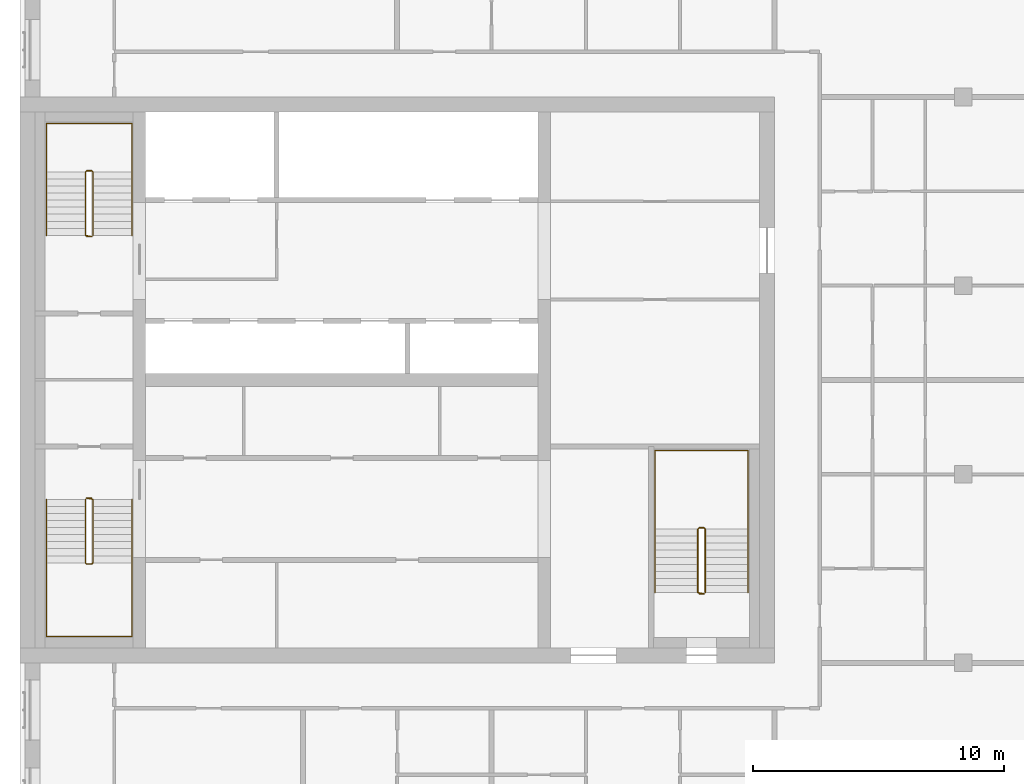
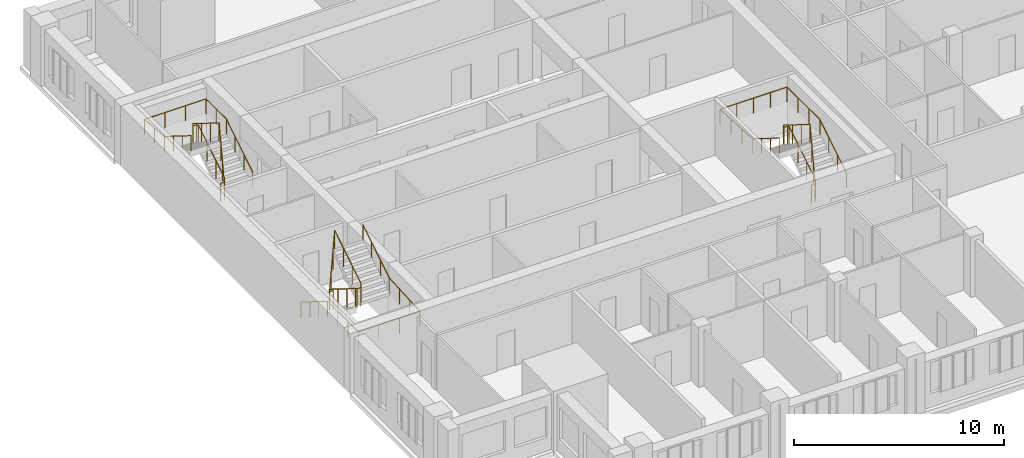
# One storey, part 10 of 10: 6 railings.
"""IFC4 building model written with IfcOpenShell, lengths in metres."""

import ifcopenshell
import ifcopenshell.guid

model = None  # the IFC model being written
_history = None  # IfcOwnerHistory: only IFC2X3 demands one
_inside = {}  # id of a spatial element -> (the spatial element, [elements in it])
_under = {}  # id of a project, library or spatial element -> (it, [spatial elements below it])
_declared = {}  # id of a project -> (the project, [libraries it declares])
_typed = {}  # id of a type object -> (the type object, [elements of that type])
_made_of = {}  # id of a material, layer set ... -> (it, [elements and type objects made of it])


def new_model(schema):
    """Start an empty IFC model of exactly this schema.

    Asked for "IFC4X3", IfcOpenShell would pick the latest addendum, in which some entities
    have other attributes; the version numbers below select the first issue.
    IFC2X3 requires an IfcOwnerHistory on every rooted entity: one is made here for all.
    """
    global model, _history
    if schema == "IFC4X3":
        model = ifcopenshell.file(schema_version=(4, 3, 0, 0))
    else:
        model = ifcopenshell.file(schema=schema)
    _inside.clear()
    _under.clear()
    _declared.clear()
    _typed.clear()
    _made_of.clear()
    _history = None
    if model.schema == "IFC2X3":
        org = make("IfcOrganization", Name="unknown")
        user = make(
            "IfcPersonAndOrganization",
            ThePerson=make("IfcPerson", FamilyName="unknown"),
            TheOrganization=org,
        )
        app = make(
            "IfcApplication",
            ApplicationDeveloper=org,
            Version="unknown",
            ApplicationFullName="unknown",
            ApplicationIdentifier="unknown",
        )
        _history = make(
            "IfcOwnerHistory",
            OwningUser=user,
            OwningApplication=app,
            ChangeAction="ADDED",
            CreationDate=0,
        )
    return model


def make(cls, **values):
    """One entity of the class cls with the attributes given. An attribute that is None is left unset."""
    return model.create_entity(
        cls, **{name: value for name, value in values.items() if value is not None}
    )


def rooted(cls, **values):
    """An entity with a GlobalId (a new one), such as an element, a storey or a relation."""
    return make(cls, GlobalId=ifcopenshell.guid.new(), OwnerHistory=_history, **values)


def si_unit(unit_type, name, prefix=None):
    """IfcSIUnit, for example si_unit("LENGTHUNIT", "METRE", prefix="MILLI")."""
    return make("IfcSIUnit", UnitType=unit_type, Prefix=prefix, Name=name)


def assignment(units):
    """IfcUnitAssignment: the units of a project."""
    return None if units is None else make("IfcUnitAssignment", Units=units)


def point(xyz):
    """IfcCartesianPoint."""
    return None if xyz is None else make("IfcCartesianPoint", Coordinates=xyz)


def direction(xyz):
    """IfcDirection."""
    return None if xyz is None else make("IfcDirection", DirectionRatios=xyz)


def frame(location, z_axis=None, x_axis=None):
    """IfcAxis2Placement3D, a coordinate frame: its origin and axes. An axis left out is left unset."""
    return make(
        "IfcAxis2Placement3D",
        Location=point(location),
        Axis=direction(z_axis),
        RefDirection=direction(x_axis),
    )


def frame_2d(location, x_axis=None):
    """IfcAxis2Placement2D, a coordinate frame in the plane: its origin and x axis."""
    return make(
        "IfcAxis2Placement2D", Location=point(location), RefDirection=direction(x_axis)
    )


def origin():
    """The frame at (0, 0, 0) with its axes left unset."""
    return frame((0.0, 0.0, 0.0))


def origin_2d():
    """The frame at (0, 0) in the plane with its x axis left unset."""
    return frame_2d((0.0, 0.0))


def place(relative_to, where):
    """IfcLocalPlacement: puts the frame where relative to a parent placement (None: the world)."""
    return make(
        "IfcLocalPlacement", PlacementRelTo=relative_to, RelativePlacement=where
    )


def context(
    kind, dimensions, precision=None, world=None, true_north=None, identifier=None
):
    """IfcGeometricRepresentationContext, for example the 3D "Model" context."""
    return make(
        "IfcGeometricRepresentationContext",
        ContextIdentifier=identifier,
        ContextType=kind,
        CoordinateSpaceDimension=dimensions,
        Precision=precision,
        WorldCoordinateSystem=world,
        TrueNorth=true_north,
    )


def subcontext(parent, identifier, kind, view, scale=None):
    """IfcGeometricRepresentationSubContext, for example "Body" below "Model"."""
    return make(
        "IfcGeometricRepresentationSubContext",
        ContextIdentifier=identifier,
        ContextType=kind,
        ParentContext=parent,
        TargetScale=scale,
        TargetView=view,
    )


def project(units=None, contexts=None):
    """IfcProject with its units and contexts."""
    return rooted(
        "IfcProject",
        Name="project",
        RepresentationContexts=contexts,
        UnitsInContext=assignment(units),
    )


def spatial(cls, under=None, at=None, **own):
    """A site, building, storey or space (cls), placed at a placement, below another one or the project."""
    s = rooted(cls, ObjectPlacement=at, **own)
    if under is not None:
        _under.setdefault(under.id(), (under, []))[1].append(s)
    return s


def profile(cls, at=None, kind="AREA", **sizes):
    """A parametric profile (cls). Its sizes go by their IFC names, for example OverallWidth=200.0."""
    return make(cls, ProfileType=kind, Position=at, **sizes)


def circle(**sizes):
    """IfcCircleProfileDef."""
    return profile("IfcCircleProfileDef", **sizes)


def extrude(swept, where, along, depth):
    """IfcExtrudedAreaSolid: the profile swept, set in the frame where, extruded along a direction by depth."""
    return make(
        "IfcExtrudedAreaSolid",
        SweptArea=swept,
        Position=where,
        ExtrudedDirection=direction(along),
        Depth=depth,
    )


def shape(context_of_items, identifier, shape_type, items):
    """IfcShapeRepresentation: the items that make up one representation, for example the "Body"."""
    return make(
        "IfcShapeRepresentation",
        ContextOfItems=context_of_items,
        RepresentationIdentifier=identifier,
        RepresentationType=shape_type,
        Items=items,
    )


def material(Name=None, Category=None):
    """IfcMaterial."""
    return make("IfcMaterial", Name=Name, Category=Category)


def made_of(thing, what):
    """Note that an element or type object is made of a material, layer set ...; save() writes the relation."""
    if what is not None:
        _made_of.setdefault(what.id(), (what, []))[1].append(thing)
    return thing


def type_object(cls, material=None, **own):
    """A type object (cls), such as IfcWallType, which elements share."""
    return made_of(rooted(cls, **own), material)


def element(
    cls,
    number,
    at=None,
    inside=None,
    cuts=None,
    type_object=None,
    material=None,
    context=None,
    identifier="Body",
    shape_type=None,
    held_by="IfcProductDefinitionShape",
    body=None,
    shapes=None,
    **own,
):
    """One element of the class cls, such as IfcWall. Its Tag is "e" and its number.

    at: its placement. inside: the storey or other place that contains it. cuts: it is an
    opening in that element (IfcRelVoidsElement). A single representation is given by context,
    identifier, shape_type and body (its items); several are given by shapes. held_by: the class
    of the entity that holds the representations. save() writes the other relations.
    """
    e = rooted(cls, Tag="e%d" % number, ObjectPlacement=at, **own)
    if body is not None:
        shapes = [shape(context, identifier, shape_type, body)]
    if shapes is not None:
        e.Representation = make(held_by, Representations=shapes)
    if inside is not None:
        _inside.setdefault(inside.id(), (inside, []))[1].append(e)
    if cuts is not None:
        rooted(
            "IfcRelVoidsElement", RelatingBuildingElement=cuts, RelatedOpeningElement=e
        )
    if type_object is not None:
        _typed.setdefault(type_object.id(), (type_object, []))[1].append(e)
    return made_of(e, material)


def aggregate(whole, parts):
    """IfcRelAggregates: a whole, such as a stair, and the parts it consists of."""
    return rooted("IfcRelAggregates", RelatingObject=whole, RelatedObjects=parts)


def save(model, path):
    """Write the relations noted so far, then the file.

    IfcRelAggregates (storeys below a building ...), IfcRelContainedInSpatialStructure (elements
    in a storey), IfcRelDefinesByType, IfcRelAssociatesMaterial and IfcRelDeclares: one each for
    every whole, place, type object, material and project.
    """
    for whole, parts in _under.values():
        aggregate(whole, parts)
    for where, things in _inside.values():
        rooted(
            "IfcRelContainedInSpatialStructure",
            RelatedElements=things,
            RelatingStructure=where,
        )
    for kind, things in _typed.values():
        rooted("IfcRelDefinesByType", RelatedObjects=things, RelatingType=kind)
    for what, things in _made_of.values():
        rooted("IfcRelAssociatesMaterial", RelatedObjects=things, RelatingMaterial=what)
    for by, libraries in _declared.values():
        rooted("IfcRelDeclares", RelatingContext=by, RelatedDefinitions=libraries)
    model.write(path)


model = new_model("IFC4")

# Units and contexts
model_context = context("Model", 3, precision=1e-05, world=origin(), true_north=direction((0.0, 1.0)))
body_context = subcontext(model_context, "Body", "Model", "MODEL_VIEW")
ifc_project = project(units=[si_unit("LENGTHUNIT", "METRE"), si_unit("AREAUNIT", "SQUARE_METRE"), si_unit("VOLUMEUNIT", "CUBIC_METRE"), si_unit("PLANEANGLEUNIT", "RADIAN"), si_unit("MASSUNIT", "GRAM", prefix="KILO")], contexts=[model_context])

# Site, building, storey
site_placement = place(None, origin())
site = spatial("IfcSite", under=ifc_project, at=site_placement, CompositionType="ELEMENT")
building_placement = place(site_placement, origin())
building = spatial("IfcBuilding", under=site, at=building_placement, Name="Tamorin Gate", CompositionType="ELEMENT")
storey_placement = place(building_placement, frame((0.0, 0.0, 280.199951171875)))
storey = spatial("IfcBuildingStorey", under=building, at=storey_placement, Name="L70", CompositionType="ELEMENT", Elevation=280.199951171875)

# Railings
ifc_material_1 = material(Name="Painted steel balustrade", Category="steel")
railing_type_1 = type_object("IfcRailingType", Name="Stair guard 1100", PredefinedType="GUARDRAIL", material=ifc_material_1)
railing_1_placement = place(storey_placement, frame((32.60009765625, 66.5, 0.175048828125)))
element("IfcRailing", 1, at=railing_1_placement, inside=storey, type_object=railing_type_1, Name="L70 ST1 stair guard 1", PredefinedType="GUARDRAIL", context=body_context, shape_type="SweptSolid", body=[
    extrude(circle(Radius=0.02392578125, at=origin_2d()), frame((0.0, 0.0, 1.076171875), z_axis=(0.0, -0.848007534815, 0.529984170421), x_axis=(1.0, 0.0, 0.0)), (0.0, 0.0, 1.0), 2.9716796875),
    extrude(circle(Radius=0.02392578125, at=origin_2d()), frame((0.0, -2.52001953125, 2.65087890625), z_axis=(0.705375805398, -0.708833529934, 0.0), x_axis=(0.708833529934, 0.705375805398, 0.0)), (0.0, 0.0, 1.0), 0.070556640625),
    extrude(circle(Radius=0.02392578125, at=origin_2d()), frame((0.0498046875, -2.570068359375, 2.65087890625), z_axis=(1.0, 0.0, 0.0), x_axis=(0.0, 1.0, 0.0)), (0.0, 0.0, 1.0), 0.2001953125),
    extrude(circle(Radius=0.02392578125, at=origin_2d()), frame((0.25, -2.570068359375, 2.65087890625), z_axis=(0.263862480399, 0.265155923931, 0.927399011991), x_axis=(-0.708833529934, 0.705375805398, 0.0)), (0.0, 0.0, 1.0), 0.188720703125),
    extrude(circle(Radius=0.02392578125, at=origin_2d()), frame((0.2998046875, -2.52001953125, 2.826171875), z_axis=(0.0, 0.848007534815, 0.529984170421), x_axis=(-1.0, 0.0, 0.0)), (0.0, 0.0, 1.0), 2.9716796875),
    extrude(circle(Radius=0.02392578125, at=origin_2d()), frame((0.2998046875, 0.0, 4.40087890625), z_axis=(-0.071239803756, 0.014261874775, -0.997357252587), x_axis=(-0.196300278283, -0.98054382908, 0.0)), (0.0, 0.0, 1.0), 3.50927734375),
    extrude(circle(Radius=0.02392578125, at=origin_2d()), frame((0.0498046875, 0.050048828125, 0.90087890625), z_axis=(1.0, 0.0, 0.0), x_axis=(0.0, 1.0, 0.0)), (0.0, 0.0, 1.0), 0.2001953125),
    extrude(circle(Radius=0.02099609375, at=origin_2d()), origin(), (0.0, 0.0, 1.0), 1.052001953125),
    extrude(circle(Radius=0.02099609375, at=origin_2d()), frame((0.0, -0.840087890625, 0.52490234375)), (0.0, 0.0, 1.0), 1.052001953125),
    extrude(circle(Radius=0.02099609375, at=origin_2d()), frame((0.0, -1.679931640625, 1.050048828125)), (0.0, 0.0, 1.0), 1.052001953125),
    extrude(circle(Radius=0.02099609375, at=origin_2d()), frame((0.0, -2.52001953125, 1.574951171875)), (0.0, 0.0, 1.0), 1.052001953125),
    extrude(circle(Radius=0.02099609375, at=origin_2d()), frame((0.0498046875, -2.570068359375, 1.574951171875)), (0.0, 0.0, 1.0), 1.052001953125),
    extrude(circle(Radius=0.02099609375, at=origin_2d()), frame((0.25, -2.570068359375, 1.574951171875)), (0.0, 0.0, 1.0), 1.052001953125),
    extrude(circle(Radius=0.02099609375, at=origin_2d()), frame((0.2998046875, -2.52001953125, 1.75)), (0.0, 0.0, 1.0), 1.052001953125),
    extrude(circle(Radius=0.02099609375, at=origin_2d()), frame((0.2998046875, -1.679931640625, 2.27490234375)), (0.0, 0.0, 1.0), 1.052001953125),
    extrude(circle(Radius=0.02099609375, at=origin_2d()), frame((0.2998046875, -0.840087890625, 2.800048828125)), (0.0, 0.0, 1.0), 1.052001953125),
    extrude(circle(Radius=0.02099609375, at=origin_2d()), frame((0.2998046875, 0.0, 3.324951171875)), (0.0, 0.0, 1.0), 1.052001953125),
    extrude(circle(Radius=0.02099609375, at=origin_2d()), frame((0.216552734375, 0.0166015625, 2.158203125)), (0.0, 0.0, 1.0), 1.052001953125),
    extrude(circle(Radius=0.02099609375, at=origin_2d()), frame((0.133056640625, 0.033447265625, 0.99169921875)), (0.0, 0.0, 1.0), 1.052001953125),
    extrude(circle(Radius=0.02099609375, at=origin_2d()), frame((0.0498046875, 0.050048828125, -0.175048828125)), (0.0, 0.0, 1.0), 1.052001953125),
    extrude(circle(Radius=0.02099609375, at=origin_2d()), frame((0.25, 0.050048828125, -0.175048828125)), (0.0, 0.0, 1.0), 1.052001953125),
])
railing_2_placement = place(storey_placement, frame((32.89990234375, 77.0, 0.175048828125)))
element("IfcRailing", 2, at=railing_2_placement, inside=storey, type_object=railing_type_1, Name="L70 ST2 stair guard 1", PredefinedType="GUARDRAIL", context=body_context, shape_type="SweptSolid", body=[
    extrude(circle(Radius=0.02392578125, at=origin_2d()), frame((0.0, 0.0, 1.076171875), z_axis=(0.0, 0.848007534815, 0.529984170421), x_axis=(-1.0, 0.0, 0.0)), (0.0, 0.0, 1.0), 2.9716796875),
    extrude(circle(Radius=0.02392578125, at=origin_2d()), frame((0.0, 2.52001953125, 2.65087890625), z_axis=(-0.705375805398, 0.708833529934, 0.0), x_axis=(-0.708833529934, -0.705375805398, 0.0)), (0.0, 0.0, 1.0), 0.070556640625),
    extrude(circle(Radius=0.02392578125, at=origin_2d()), frame((-0.0498046875, 2.570068359375, 2.65087890625), z_axis=(-1.0, 0.0, 0.0), x_axis=(0.0, -1.0, 0.0)), (0.0, 0.0, 1.0), 0.2001953125),
    extrude(circle(Radius=0.02392578125, at=origin_2d()), frame((-0.25, 2.570068359375, 2.65087890625), z_axis=(-0.263862480399, -0.265155923931, 0.927399011991), x_axis=(0.708833529934, -0.705375805398, 0.0)), (0.0, 0.0, 1.0), 0.188720703125),
    extrude(circle(Radius=0.02392578125, at=origin_2d()), frame((-0.2998046875, 2.52001953125, 2.826171875), z_axis=(0.0, -0.848007534815, 0.529984170421), x_axis=(1.0, 0.0, 0.0)), (0.0, 0.0, 1.0), 2.9716796875),
    extrude(circle(Radius=0.02392578125, at=origin_2d()), frame((-0.2998046875, 0.0, 4.40087890625), z_axis=(0.071239803756, -0.014261874775, -0.997357252587), x_axis=(0.196300278283, 0.98054382908, 0.0)), (0.0, 0.0, 1.0), 3.50927734375),
    extrude(circle(Radius=0.02392578125, at=origin_2d()), frame((-0.0498046875, -0.050048828125, 0.90087890625), z_axis=(-1.0, 0.0, 0.0), x_axis=(0.0, -1.0, 0.0)), (0.0, 0.0, 1.0), 0.2001953125),
    extrude(circle(Radius=0.02099609375, at=origin_2d()), origin(), (0.0, 0.0, 1.0), 1.052001953125),
    extrude(circle(Radius=0.02099609375, at=origin_2d()), frame((0.0, 0.840087890625, 0.52490234375)), (0.0, 0.0, 1.0), 1.052001953125),
    extrude(circle(Radius=0.02099609375, at=origin_2d()), frame((0.0, 1.679931640625, 1.050048828125)), (0.0, 0.0, 1.0), 1.052001953125),
    extrude(circle(Radius=0.02099609375, at=origin_2d()), frame((0.0, 2.52001953125, 1.574951171875)), (0.0, 0.0, 1.0), 1.052001953125),
    extrude(circle(Radius=0.02099609375, at=origin_2d()), frame((-0.0498046875, 2.570068359375, 1.574951171875)), (0.0, 0.0, 1.0), 1.052001953125),
    extrude(circle(Radius=0.02099609375, at=origin_2d()), frame((-0.25, 2.570068359375, 1.574951171875)), (0.0, 0.0, 1.0), 1.052001953125),
    extrude(circle(Radius=0.02099609375, at=origin_2d()), frame((-0.2998046875, 2.52001953125, 1.75)), (0.0, 0.0, 1.0), 1.052001953125),
    extrude(circle(Radius=0.02099609375, at=origin_2d()), frame((-0.2998046875, 1.679931640625, 2.27490234375)), (0.0, 0.0, 1.0), 1.052001953125),
    extrude(circle(Radius=0.02099609375, at=origin_2d()), frame((-0.2998046875, 0.840087890625, 2.800048828125)), (0.0, 0.0, 1.0), 1.052001953125),
    extrude(circle(Radius=0.02099609375, at=origin_2d()), frame((-0.2998046875, 0.0, 3.324951171875)), (0.0, 0.0, 1.0), 1.052001953125),
    extrude(circle(Radius=0.02099609375, at=origin_2d()), frame((-0.216552734375, -0.0166015625, 2.158203125)), (0.0, 0.0, 1.0), 1.052001953125),
    extrude(circle(Radius=0.02099609375, at=origin_2d()), frame((-0.133056640625, -0.033447265625, 0.99169921875)), (0.0, 0.0, 1.0), 1.052001953125),
    extrude(circle(Radius=0.02099609375, at=origin_2d()), frame((-0.0498046875, -0.050048828125, -0.175048828125)), (0.0, 0.0, 1.0), 1.052001953125),
    extrude(circle(Radius=0.02099609375, at=origin_2d()), frame((-0.25, -0.050048828125, -0.175048828125)), (0.0, 0.0, 1.0), 1.052001953125),
])
railing_3_placement = place(storey_placement, frame((57.25, 62.800048828125, 0.175048828125)))
element("IfcRailing", 3, at=railing_3_placement, inside=storey, type_object=railing_type_1, Name="L70 ST3 stair guard 1", PredefinedType="GUARDRAIL", context=body_context, shape_type="SweptSolid", body=[
    extrude(circle(Radius=0.02392578125, at=origin_2d()), frame((0.0, 0.0, 1.076171875), z_axis=(0.0, 0.848007534815, 0.529984170421), x_axis=(-1.0, 0.0, 0.0)), (0.0, 0.0, 1.0), 2.9716796875),
    extrude(circle(Radius=0.02392578125, at=origin_2d()), frame((0.0, 2.52001953125, 2.65087890625), z_axis=(-0.707106781187, 0.707106781187, 0.0), x_axis=(-0.707106781187, -0.707106781187, 0.0)), (0.0, 0.0, 1.0), 0.07080078125),
    extrude(circle(Radius=0.02392578125, at=origin_2d()), frame((-0.050048828125, 2.570068359375, 2.65087890625), z_axis=(-1.0, 0.0, 0.0), x_axis=(0.0, -1.0, 0.0)), (0.0, 0.0, 1.0), 0.199951171875),
    extrude(circle(Radius=0.02392578125, at=origin_2d()), frame((-0.25, 2.570068359375, 2.65087890625), z_axis=(-0.265065253269, -0.265065253269, 0.927081885822), x_axis=(0.707106781187, -0.707106781187, 0.0)), (0.0, 0.0, 1.0), 0.188720703125),
    extrude(circle(Radius=0.02392578125, at=origin_2d()), frame((-0.300048828125, 2.52001953125, 2.826171875), z_axis=(0.0, -0.848007534815, 0.529984170421), x_axis=(1.0, 0.0, 0.0)), (0.0, 0.0, 1.0), 2.9716796875),
    extrude(circle(Radius=0.02392578125, at=origin_2d()), frame((-0.300048828125, 0.0, 4.40087890625), z_axis=(0.071239803756, -0.014261874775, -0.997357252587), x_axis=(0.196300278283, 0.98054382908, 0.0)), (0.0, 0.0, 1.0), 3.50927734375),
    extrude(circle(Radius=0.02392578125, at=origin_2d()), frame((-0.050048828125, -0.050048828125, 0.90087890625), z_axis=(-1.0, 0.0, 0.0), x_axis=(0.0, -1.0, 0.0)), (0.0, 0.0, 1.0), 0.199951171875),
    extrude(circle(Radius=0.02099609375, at=origin_2d()), origin(), (0.0, 0.0, 1.0), 1.052001953125),
    extrude(circle(Radius=0.02099609375, at=origin_2d()), frame((0.0, 0.840087890625, 0.52490234375)), (0.0, 0.0, 1.0), 1.052001953125),
    extrude(circle(Radius=0.02099609375, at=origin_2d()), frame((0.0, 1.679931640625, 1.050048828125)), (0.0, 0.0, 1.0), 1.052001953125),
    extrude(circle(Radius=0.02099609375, at=origin_2d()), frame((0.0, 2.52001953125, 1.574951171875)), (0.0, 0.0, 1.0), 1.052001953125),
    extrude(circle(Radius=0.02099609375, at=origin_2d()), frame((-0.050048828125, 2.570068359375, 1.574951171875)), (0.0, 0.0, 1.0), 1.052001953125),
    extrude(circle(Radius=0.02099609375, at=origin_2d()), frame((-0.25, 2.570068359375, 1.574951171875)), (0.0, 0.0, 1.0), 1.052001953125),
    extrude(circle(Radius=0.02099609375, at=origin_2d()), frame((-0.300048828125, 2.52001953125, 1.75)), (0.0, 0.0, 1.0), 1.052001953125),
    extrude(circle(Radius=0.02099609375, at=origin_2d()), frame((-0.300048828125, 1.679931640625, 2.27490234375)), (0.0, 0.0, 1.0), 1.052001953125),
    extrude(circle(Radius=0.02099609375, at=origin_2d()), frame((-0.300048828125, 0.840087890625, 2.800048828125)), (0.0, 0.0, 1.0), 1.052001953125),
    extrude(circle(Radius=0.02099609375, at=origin_2d()), frame((-0.300048828125, 0.0, 3.324951171875)), (0.0, 0.0, 1.0), 1.052001953125),
    extrude(circle(Radius=0.02099609375, at=origin_2d()), frame((-0.216796875, -0.0166015625, 2.158203125)), (0.0, 0.0, 1.0), 1.052001953125),
    extrude(circle(Radius=0.02099609375, at=origin_2d()), frame((-0.13330078125, -0.033447265625, 0.99169921875)), (0.0, 0.0, 1.0), 1.052001953125),
    extrude(circle(Radius=0.02099609375, at=origin_2d()), frame((-0.050048828125, -0.050048828125, -0.175048828125)), (0.0, 0.0, 1.0), 1.052001953125),
    extrude(circle(Radius=0.02099609375, at=origin_2d()), frame((-0.25, -0.050048828125, -0.175048828125)), (0.0, 0.0, 1.0), 1.052001953125),
])
ifc_material_2 = material(Name="Painted steel handrail", Category="steel")
railing_type_2 = type_object("IfcRailingType", Name="Stair handrail 900", PredefinedType="HANDRAIL", material=ifc_material_2)
railing_4_placement = place(storey_placement, frame((31.050048828125, 66.5, 0.175048828125)))
element("IfcRailing", 4, at=railing_4_placement, inside=storey, type_object=railing_type_2, Name="L70 ST1 stair handrail 1", PredefinedType="HANDRAIL", context=body_context, shape_type="SweptSolid", body=[
    extrude(circle(Radius=0.02392578125, at=origin_2d()), frame((0.0, 0.0, 0.8759765625), z_axis=(0.0, -0.848007534815, 0.529984170421), x_axis=(1.0, 0.0, 0.0)), (0.0, 0.0, 1.0), 2.9716796875),
    extrude(circle(Radius=0.02392578125, at=origin_2d()), frame((0.0, -2.52001953125, 2.45068359375), z_axis=(0.0, -1.0, 0.0), x_axis=(1.0, 0.0, 0.0)), (0.0, 0.0, 1.0), 2.929931640625),
    extrude(circle(Radius=0.02392578125, at=origin_2d()), frame((0.0, -5.449951171875, 2.45068359375), z_axis=(1.0, 0.0, 0.0), x_axis=(0.0, 1.0, 0.0)), (0.0, 0.0, 1.0), 3.39990234375),
    extrude(circle(Radius=0.02392578125, at=origin_2d()), frame((3.39990234375, -5.449951171875, 2.45068359375), z_axis=(0.0, 0.998220029962, 0.0596386769), x_axis=(-1.0, 0.0, 0.0)), (0.0, 0.0, 1.0), 2.93505859375),
    extrude(circle(Radius=0.02392578125, at=origin_2d()), frame((3.39990234375, -2.52001953125, 2.6259765625), z_axis=(0.0, 0.848007534815, 0.529984170421), x_axis=(-1.0, 0.0, 0.0)), (0.0, 0.0, 1.0), 2.9716796875),
    extrude(circle(Radius=0.02099609375, at=origin_2d()), origin(), (0.0, 0.0, 1.0), 0.851806640625),
    extrude(circle(Radius=0.02099609375, at=origin_2d()), frame((0.0, -0.840087890625, 0.52490234375)), (0.0, 0.0, 1.0), 0.851806640625),
    extrude(circle(Radius=0.02099609375, at=origin_2d()), frame((0.0, -1.679931640625, 1.050048828125)), (0.0, 0.0, 1.0), 0.851806640625),
    extrude(circle(Radius=0.02099609375, at=origin_2d()), frame((0.0, -2.52001953125, 1.574951171875)), (0.0, 0.0, 1.0), 0.851806640625),
    extrude(circle(Radius=0.02099609375, at=origin_2d()), frame((0.0, -3.49658203125, 1.574951171875)), (0.0, 0.0, 1.0), 0.851806640625),
    extrude(circle(Radius=0.02099609375, at=origin_2d()), frame((0.0, -4.473388671875, 1.574951171875)), (0.0, 0.0, 1.0), 0.851806640625),
    extrude(circle(Radius=0.02099609375, at=origin_2d()), frame((0.0, -5.449951171875, 1.574951171875)), (0.0, 0.0, 1.0), 0.851806640625),
    extrude(circle(Radius=0.02099609375, at=origin_2d()), frame((1.13330078125, -5.449951171875, 1.574951171875)), (0.0, 0.0, 1.0), 0.851806640625),
    extrude(circle(Radius=0.02099609375, at=origin_2d()), frame((2.2666015625, -5.449951171875, 1.574951171875)), (0.0, 0.0, 1.0), 0.851806640625),
    extrude(circle(Radius=0.02099609375, at=origin_2d()), frame((3.39990234375, -5.449951171875, 1.574951171875)), (0.0, 0.0, 1.0), 0.851806640625),
    extrude(circle(Radius=0.02099609375, at=origin_2d()), frame((3.39990234375, -4.473388671875, 1.63330078125)), (0.0, 0.0, 1.0), 0.851806640625),
    extrude(circle(Radius=0.02099609375, at=origin_2d()), frame((3.39990234375, -3.49658203125, 1.691650390625)), (0.0, 0.0, 1.0), 0.851806640625),
    extrude(circle(Radius=0.02099609375, at=origin_2d()), frame((3.39990234375, -2.52001953125, 1.75)), (0.0, 0.0, 1.0), 0.851806640625),
    extrude(circle(Radius=0.02099609375, at=origin_2d()), frame((3.39990234375, -1.679931640625, 2.27490234375)), (0.0, 0.0, 1.0), 0.851806640625),
    extrude(circle(Radius=0.02099609375, at=origin_2d()), frame((3.39990234375, -0.840087890625, 2.800048828125)), (0.0, 0.0, 1.0), 0.851806640625),
    extrude(circle(Radius=0.02099609375, at=origin_2d()), frame((3.39990234375, 0.0, 3.324951171875)), (0.0, 0.0, 1.0), 0.851806640625),
])
railing_5_placement = place(storey_placement, frame((34.449951171875, 77.0, 0.175048828125)))
element("IfcRailing", 5, at=railing_5_placement, inside=storey, type_object=railing_type_2, Name="L70 ST2 stair handrail 1", PredefinedType="HANDRAIL", context=body_context, shape_type="SweptSolid", body=[
    extrude(circle(Radius=0.02392578125, at=origin_2d()), frame((0.0, 0.0, 0.8759765625), z_axis=(0.0, 0.848007534815, 0.529984170421), x_axis=(-1.0, 0.0, 0.0)), (0.0, 0.0, 1.0), 2.9716796875),
    extrude(circle(Radius=0.02392578125, at=origin_2d()), frame((0.0, 2.52001953125, 2.45068359375), z_axis=(0.0, 1.0, 0.0), x_axis=(-1.0, 0.0, 0.0)), (0.0, 0.0, 1.0), 1.929931640625),
    extrude(circle(Radius=0.02392578125, at=origin_2d()), frame((0.0, 4.449951171875, 2.45068359375), z_axis=(-1.0, 0.0, 0.0), x_axis=(0.0, -1.0, 0.0)), (0.0, 0.0, 1.0), 3.39990234375),
    extrude(circle(Radius=0.02392578125, at=origin_2d()), frame((-3.39990234375, 4.449951171875, 2.45068359375), z_axis=(0.0, -0.995911773435, 0.090331276604), x_axis=(1.0, 0.0, 0.0)), (0.0, 0.0, 1.0), 1.937744140625),
    extrude(circle(Radius=0.02392578125, at=origin_2d()), frame((-3.39990234375, 2.52001953125, 2.6259765625), z_axis=(0.0, -0.848007534815, 0.529984170421), x_axis=(1.0, 0.0, 0.0)), (0.0, 0.0, 1.0), 2.9716796875),
    extrude(circle(Radius=0.02099609375, at=origin_2d()), origin(), (0.0, 0.0, 1.0), 0.851806640625),
    extrude(circle(Radius=0.02099609375, at=origin_2d()), frame((0.0, 0.840087890625, 0.52490234375)), (0.0, 0.0, 1.0), 0.851806640625),
    extrude(circle(Radius=0.02099609375, at=origin_2d()), frame((0.0, 1.679931640625, 1.050048828125)), (0.0, 0.0, 1.0), 0.851806640625),
    extrude(circle(Radius=0.02099609375, at=origin_2d()), frame((0.0, 2.52001953125, 1.574951171875)), (0.0, 0.0, 1.0), 0.851806640625),
    extrude(circle(Radius=0.02099609375, at=origin_2d()), frame((0.0, 3.48486328125, 1.574951171875)), (0.0, 0.0, 1.0), 0.851806640625),
    extrude(circle(Radius=0.02099609375, at=origin_2d()), frame((0.0, 4.449951171875, 1.574951171875)), (0.0, 0.0, 1.0), 0.851806640625),
    extrude(circle(Radius=0.02099609375, at=origin_2d()), frame((-1.13330078125, 4.449951171875, 1.574951171875)), (0.0, 0.0, 1.0), 0.851806640625),
    extrude(circle(Radius=0.02099609375, at=origin_2d()), frame((-2.2666015625, 4.449951171875, 1.574951171875)), (0.0, 0.0, 1.0), 0.851806640625),
    extrude(circle(Radius=0.02099609375, at=origin_2d()), frame((-3.39990234375, 4.449951171875, 1.574951171875)), (0.0, 0.0, 1.0), 0.851806640625),
    extrude(circle(Radius=0.02099609375, at=origin_2d()), frame((-3.39990234375, 3.48486328125, 1.66259765625)), (0.0, 0.0, 1.0), 0.851806640625),
    extrude(circle(Radius=0.02099609375, at=origin_2d()), frame((-3.39990234375, 2.52001953125, 1.75)), (0.0, 0.0, 1.0), 0.851806640625),
    extrude(circle(Radius=0.02099609375, at=origin_2d()), frame((-3.39990234375, 1.679931640625, 2.27490234375)), (0.0, 0.0, 1.0), 0.851806640625),
    extrude(circle(Radius=0.02099609375, at=origin_2d()), frame((-3.39990234375, 0.840087890625, 2.800048828125)), (0.0, 0.0, 1.0), 0.851806640625),
    extrude(circle(Radius=0.02099609375, at=origin_2d()), frame((-3.39990234375, 0.0, 3.324951171875)), (0.0, 0.0, 1.0), 0.851806640625),
])
railing_6_placement = place(storey_placement, frame((58.949951171875, 62.800048828125, 0.175048828125)))
element("IfcRailing", 6, at=railing_6_placement, inside=storey, type_object=railing_type_2, Name="L70 ST3 stair handrail 1", PredefinedType="HANDRAIL", context=body_context, shape_type="SweptSolid", body=[
    extrude(circle(Radius=0.02392578125, at=origin_2d()), frame((0.0, 0.0, 0.8759765625), z_axis=(0.0, 0.848007534815, 0.529984170421), x_axis=(-1.0, 0.0, 0.0)), (0.0, 0.0, 1.0), 2.9716796875),
    extrude(circle(Radius=0.02392578125, at=origin_2d()), frame((0.0, 2.52001953125, 2.45068359375), z_axis=(0.0, 1.0, 0.0), x_axis=(-1.0, 0.0, 0.0)), (0.0, 0.0, 1.0), 3.1298828125),
    extrude(circle(Radius=0.02392578125, at=origin_2d()), frame((0.0, 5.64990234375, 2.45068359375), z_axis=(-1.0, 0.0, 0.0), x_axis=(0.0, -1.0, 0.0)), (0.0, 0.0, 1.0), 3.699951171875),
    extrude(circle(Radius=0.02392578125, at=origin_2d()), frame((-3.699951171875, 5.64990234375, 2.45068359375), z_axis=(0.0, -0.998439675676, 0.055840970941), x_axis=(1.0, 0.0, 0.0)), (0.0, 0.0, 1.0), 3.134765625),
    extrude(circle(Radius=0.02392578125, at=origin_2d()), frame((-3.699951171875, 2.52001953125, 2.6259765625), z_axis=(0.0, -0.848007534815, 0.529984170421), x_axis=(1.0, 0.0, 0.0)), (0.0, 0.0, 1.0), 2.9716796875),
    extrude(circle(Radius=0.02099609375, at=origin_2d()), origin(), (0.0, 0.0, 1.0), 0.851806640625),
    extrude(circle(Radius=0.02099609375, at=origin_2d()), frame((0.0, 0.840087890625, 0.52490234375)), (0.0, 0.0, 1.0), 0.851806640625),
    extrude(circle(Radius=0.02099609375, at=origin_2d()), frame((0.0, 1.679931640625, 1.050048828125)), (0.0, 0.0, 1.0), 0.851806640625),
    extrude(circle(Radius=0.02099609375, at=origin_2d()), frame((0.0, 2.52001953125, 1.574951171875)), (0.0, 0.0, 1.0), 0.851806640625),
    extrude(circle(Radius=0.02099609375, at=origin_2d()), frame((0.0, 3.563232421875, 1.574951171875)), (0.0, 0.0, 1.0), 0.851806640625),
    extrude(circle(Radius=0.02099609375, at=origin_2d()), frame((0.0, 4.606689453125, 1.574951171875)), (0.0, 0.0, 1.0), 0.851806640625),
    extrude(circle(Radius=0.02099609375, at=origin_2d()), frame((0.0, 5.64990234375, 1.574951171875)), (0.0, 0.0, 1.0), 0.851806640625),
    extrude(circle(Radius=0.02099609375, at=origin_2d()), frame((-0.925048828125, 5.64990234375, 1.574951171875)), (0.0, 0.0, 1.0), 0.851806640625),
    extrude(circle(Radius=0.02099609375, at=origin_2d()), frame((-1.85009765625, 5.64990234375, 1.574951171875)), (0.0, 0.0, 1.0), 0.851806640625),
    extrude(circle(Radius=0.02099609375, at=origin_2d()), frame((-2.77490234375, 5.64990234375, 1.574951171875)), (0.0, 0.0, 1.0), 0.851806640625),
    extrude(circle(Radius=0.02099609375, at=origin_2d()), frame((-3.699951171875, 5.64990234375, 1.574951171875)), (0.0, 0.0, 1.0), 0.851806640625),
    extrude(circle(Radius=0.02099609375, at=origin_2d()), frame((-3.699951171875, 4.606689453125, 1.63330078125)), (0.0, 0.0, 1.0), 0.851806640625),
    extrude(circle(Radius=0.02099609375, at=origin_2d()), frame((-3.699951171875, 3.563232421875, 1.691650390625)), (0.0, 0.0, 1.0), 0.851806640625),
    extrude(circle(Radius=0.02099609375, at=origin_2d()), frame((-3.699951171875, 2.52001953125, 1.75)), (0.0, 0.0, 1.0), 0.851806640625),
    extrude(circle(Radius=0.02099609375, at=origin_2d()), frame((-3.699951171875, 1.679931640625, 2.27490234375)), (0.0, 0.0, 1.0), 0.851806640625),
    extrude(circle(Radius=0.02099609375, at=origin_2d()), frame((-3.699951171875, 0.840087890625, 2.800048828125)), (0.0, 0.0, 1.0), 0.851806640625),
    extrude(circle(Radius=0.02099609375, at=origin_2d()), frame((-3.699951171875, 0.0, 3.324951171875)), (0.0, 0.0, 1.0), 0.851806640625),
])

save(model, "model.ifc")
